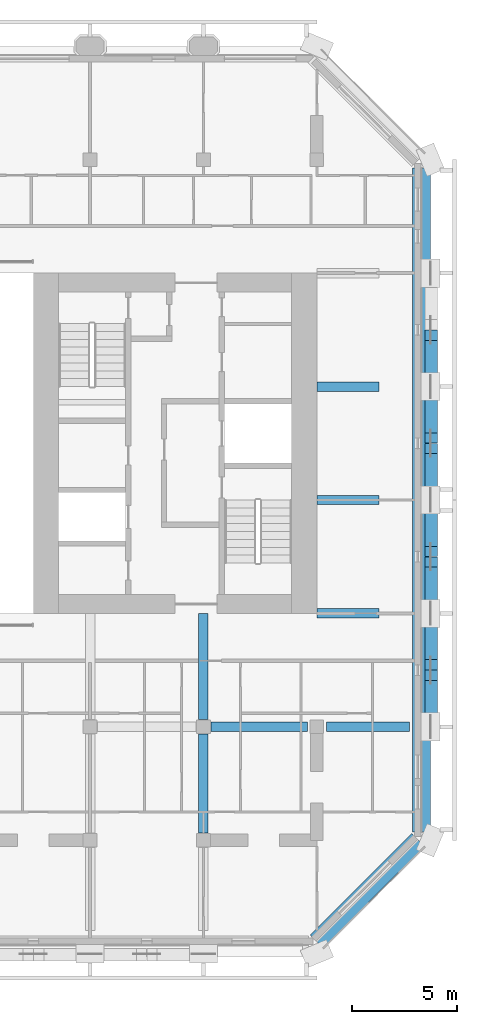
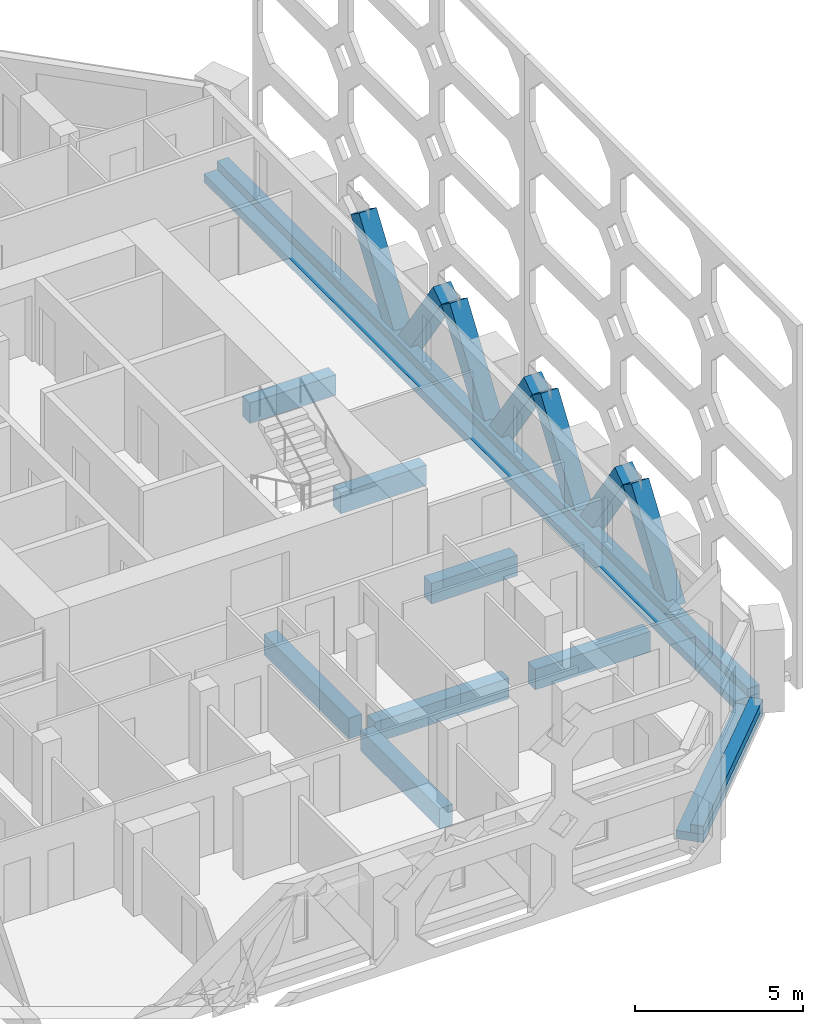
# One storey, part 3 of 15: 11 beams, 7 members.
"""IFC4 building model written with IfcOpenShell, lengths in metres."""

from ifc_helpers import new_model, si_unit, direction, frame, origin, origin_2d, place, context, subcontext, project, spatial, rectangle, extrude, material, material_profile, profile_set, type_object, element, save


model = new_model("IFC4")

# Units and contexts
model_context = context("Model", 3, precision=1e-05, world=origin(), true_north=direction((0.0, 1.0)))
body_context = subcontext(model_context, "Body", "Model", "MODEL_VIEW")
ifc_project = project(units=[si_unit("LENGTHUNIT", "METRE"), si_unit("AREAUNIT", "SQUARE_METRE"), si_unit("VOLUMEUNIT", "CUBIC_METRE"), si_unit("PLANEANGLEUNIT", "RADIAN"), si_unit("MASSUNIT", "GRAM", prefix="KILO")], contexts=[model_context])

# Site, building, storey
site_placement = place(None, origin())
site = spatial("IfcSite", under=ifc_project, at=site_placement, CompositionType="ELEMENT")
building_placement = place(site_placement, origin())
building = spatial("IfcBuilding", under=site, at=building_placement, Name="Tabaq Tower and Sports Hall", CompositionType="ELEMENT")
storey_placement = place(building_placement, frame((0.0, 0.0, 265.300048828125)))
storey = spatial("IfcBuildingStorey", under=building, at=storey_placement, Name="L64", CompositionType="ELEMENT", Elevation=265.300048828125)

# Beams
ifc_material_1 = material(Name="Concrete C40/50", Category="concrete")
ifc_material_profile_1 = material_profile(ifc_material_1, rectangle(XDim=0.449951171875, YDim=0.75, at=origin_2d()), Name="CB 450x750")
ifc_profile_set_1 = profile_set([ifc_material_profile_1], Name="Concrete C40/50")
beam_type_1 = type_object("IfcBeamType", Name="PT CANTILEVER BEAM CB 450x750 C40/50", PredefinedType="BEAM", material=ifc_profile_set_1)
beam_1_placement = place(storey_placement, frame((47.60009765625, 10.800048828125, -0.675048828125), z_axis=(-1.0, 0.0, 0.0), x_axis=(0.0, -1.0, 0.0)))
element("IfcBeam", 1, at=beam_1_placement, inside=storey, type_object=beam_type_1, Name="Cantilever Beam L64 E2 span 1", PredefinedType="BEAM", context=body_context, shape_type="SweptSolid", body=[
    extrude(rectangle(XDim=0.449951171875, YDim=0.75, at=origin_2d()), origin(), (0.0, 0.0, 1.0), 3.9501953125),
])
beam_2_placement = place(storey_placement, frame((42.75, 10.800048828125, -0.675048828125), z_axis=(-1.0, 0.0, 0.0), x_axis=(0.0, -1.0, 0.0)))
element("IfcBeam", 2, at=beam_2_placement, inside=storey, type_object=beam_type_1, Name="Cantilever Beam L64 E2 span 2", PredefinedType="BEAM", context=body_context, shape_type="SweptSolid", body=[
    extrude(rectangle(XDim=0.449951171875, YDim=0.75, at=origin_2d()), origin(), (0.0, 0.0, 1.0), 4.60009765625),
])
for number, where, z_axis, x_axis, name in (
    (3, (46.14990234375, 16.199951171875, -0.675048828125), (-1.0, 0.0, 0.0), (0.0, -1.0, 0.0), "Cantilever Beam L64 E3 span 1"),
    (4, (46.14990234375, 21.60009765625, -0.675048828125), (-1.0, 0.0, 0.0), (0.0, -1.0, 0.0), "Cantilever Beam L64 E4 span 1"),
    (5, (46.14990234375, 27.0, -0.675048828125), (-1.0, 0.0, 0.0), (0.0, -1.0, 0.0), "Cantilever Beam L64 E5 span 1"),
):
    element("IfcBeam", number, at=place(storey_placement, frame(where, z_axis=z_axis, x_axis=x_axis)), inside=storey, type_object=beam_type_1, Name=name, PredefinedType="BEAM", context=body_context, shape_type="SweptSolid", body=[
        extrude(rectangle(XDim=0.449951171875, YDim=0.75, at=origin_2d()), origin(), (0.0, 0.0, 1.0), 2.949951171875),
    ])
beam_3_placement = place(storey_placement, frame((37.800048828125, 5.75, -0.675048828125), z_axis=(0.0, 1.0, 0.0), x_axis=(-1.0, 0.0, 0.0)))
element("IfcBeam", 6, at=beam_3_placement, inside=storey, type_object=beam_type_1, Name="Cantilever Beam L64 S7 span 2", PredefinedType="BEAM", context=body_context, shape_type="SweptSolid", body=[
    extrude(rectangle(XDim=0.449951171875, YDim=0.75, at=origin_2d()), origin(), (0.0, 0.0, 1.0), 4.699951171875),
])
beam_4_placement = place(storey_placement, frame((37.800048828125, 11.14990234375, -0.675048828125), z_axis=(0.0, 1.0, 0.0), x_axis=(-1.0, 0.0, 0.0)))
element("IfcBeam", 7, at=beam_4_placement, inside=storey, type_object=beam_type_1, Name="Cantilever Beam L64 S7 span 3", PredefinedType="BEAM", context=body_context, shape_type="SweptSolid", body=[
    extrude(rectangle(XDim=0.449951171875, YDim=0.75, at=origin_2d()), origin(), (0.0, 0.0, 1.0), 5.050048828125),
])
ifc_material_2 = material(Name="Concrete C40/50", Category="concrete")
ifc_material_profile_2 = material_profile(ifc_material_2, rectangle(XDim=0.85009765625, YDim=0.300048828125, at=origin_2d()), Name="EB 850x300")
ifc_profile_set_2 = profile_set([ifc_material_profile_2], Name="Concrete C40/50")
beam_type_2 = type_object("IfcBeamType", Name="PT EDGE BEAM EB 850x300 C40/50", PredefinedType="SPANDREL", material=ifc_profile_set_2)
beam_5_placement = place(storey_placement, frame((43.183837890625, 0.584716796875, -0.150146484375), z_axis=(0.707088915255, 0.707124646667, 0.0), x_axis=(-0.707124646667, 0.707088915255, 0.0)))
element("IfcBeam", 8, at=beam_5_placement, inside=storey, type_object=beam_type_2, Name="Edge Beam L64 3", PredefinedType="SPANDREL", context=body_context, shape_type="SweptSolid", body=[
    extrude(rectangle(XDim=0.85009765625, YDim=0.300048828125, at=origin_2d()), origin(), (0.0, 0.0, 1.0), 6.832763671875),
])
beam_6_placement = place(storey_placement, frame((48.175048828125, 5.802001953125, -0.150146484375), z_axis=(0.0, 1.0, 0.0), x_axis=(-1.0, 0.0, 0.0)))
element("IfcBeam", 9, at=beam_6_placement, inside=storey, type_object=beam_type_2, Name="Edge Beam L64 4", PredefinedType="SPANDREL", context=body_context, shape_type="SweptSolid", body=[
    extrude(rectangle(XDim=0.85009765625, YDim=0.300048828125, at=origin_2d()), origin(), (0.0, 0.0, 1.0), 31.595947265625),
])
ifc_material_3 = material(Name="Concrete C40/50", Category="concrete")
ifc_material_profile_3 = material_profile(ifc_material_3, rectangle(XDim=0.39990234375, YDim=0.300048828125, at=origin_2d()), Name="EU 400x300")
ifc_profile_set_3 = profile_set([ifc_material_profile_3], Name="Concrete C40/50")
beam_type_3 = type_object("IfcBeamType", Name="PT EDGE UPSTAND EU 400x300 C40/50", PredefinedType="BEAM", material=ifc_profile_set_3)
beam_7_placement = place(storey_placement, frame((43.3427734375, 0.42578125, 0.14990234375), z_axis=(0.707124646667, 0.707088915255, 0.0), x_axis=(-0.707088915255, 0.707124646667, 0.0)))
element("IfcBeam", 10, at=beam_7_placement, inside=storey, type_object=beam_type_3, Name="Edge Upstand L64 3", PredefinedType="BEAM", context=body_context, shape_type="SweptSolid", body=[
    extrude(rectangle(XDim=0.39990234375, YDim=0.300048828125, at=origin_2d()), origin(), (0.0, 0.0, 1.0), 6.832763671875),
])
beam_8_placement = place(storey_placement, frame((48.39990234375, 5.802001953125, 0.14990234375), z_axis=(0.0, 1.0, 0.0), x_axis=(-1.0, 0.0, 0.0)))
element("IfcBeam", 11, at=beam_8_placement, inside=storey, type_object=beam_type_3, Name="Edge Upstand L64 4", PredefinedType="BEAM", context=body_context, shape_type="SweptSolid", body=[
    extrude(rectangle(XDim=0.39990234375, YDim=0.300048828125, at=origin_2d()), origin(), (0.0, 0.0, 1.0), 31.595947265625),
])

# Members
ifc_material_4 = material(Name="Concrete C40/50", Category="concrete")
ifc_material_profile_4 = material_profile(ifc_material_4, rectangle(XDim=0.60009765625, YDim=0.60009765625, at=origin_2d()), Name="TRANSFER BAND BRACE 600x600")
ifc_profile_set_4 = profile_set([ifc_material_profile_4], Name="Concrete C40/50")
member_type = type_object("IfcMemberType", Name="RC TRANSFER BAND BRACE 600x600 C40/50", PredefinedType="BRACE", material=ifc_profile_set_4)
for number, where, z_axis, x_axis, name in (
    (12, (48.64990234375, 11.050048828125, -0.050048828125), (0.0, 0.56652615464, 0.824043758613), (-1.0, 0.0, 0.0), "Transfer Band Brace L64 East 9"),
    (13, (48.64990234375, 15.949951171875, -0.050048828125), (0.0, -0.56652615464, 0.824043758613), (1.0, 0.0, 0.0), "Transfer Band Brace L64 East 10"),
    (14, (48.64990234375, 16.449951171875, -0.050048828125), (0.0, 0.56652615464, 0.824043758613), (-1.0, 0.0, 0.0), "Transfer Band Brace L64 East 11"),
    (15, (48.64990234375, 21.35009765625, -0.050048828125), (0.0, -0.566568844459, 0.824014407937), (1.0, 0.0, 0.0), "Transfer Band Brace L64 East 12"),
    (16, (48.64990234375, 21.85009765625, -0.050048828125), (0.0, 0.56652615464, 0.824043758613), (-1.0, 0.0, 0.0), "Transfer Band Brace L64 East 13"),
    (17, (48.64990234375, 26.75, -0.050048828125), (0.0, -0.56652615464, 0.824043758613), (1.0, 0.0, 0.0), "Transfer Band Brace L64 East 14"),
    (18, (48.64990234375, 27.25, -0.050048828125), (0.0, 0.56652615464, 0.824043758613), (-1.0, 0.0, 0.0), "Transfer Band Brace L64 East 15"),
):
    element("IfcMember", number, at=place(storey_placement, frame(where, z_axis=z_axis, x_axis=x_axis)), inside=storey, type_object=member_type, Name=name, PredefinedType="BRACE", context=body_context, shape_type="SweptSolid", body=[
        extrude(rectangle(XDim=0.60009765625, YDim=0.60009765625, at=origin_2d()), origin(), (0.0, 0.0, 1.0), 3.88330078125),
    ])

save(model, "model.ifc")
